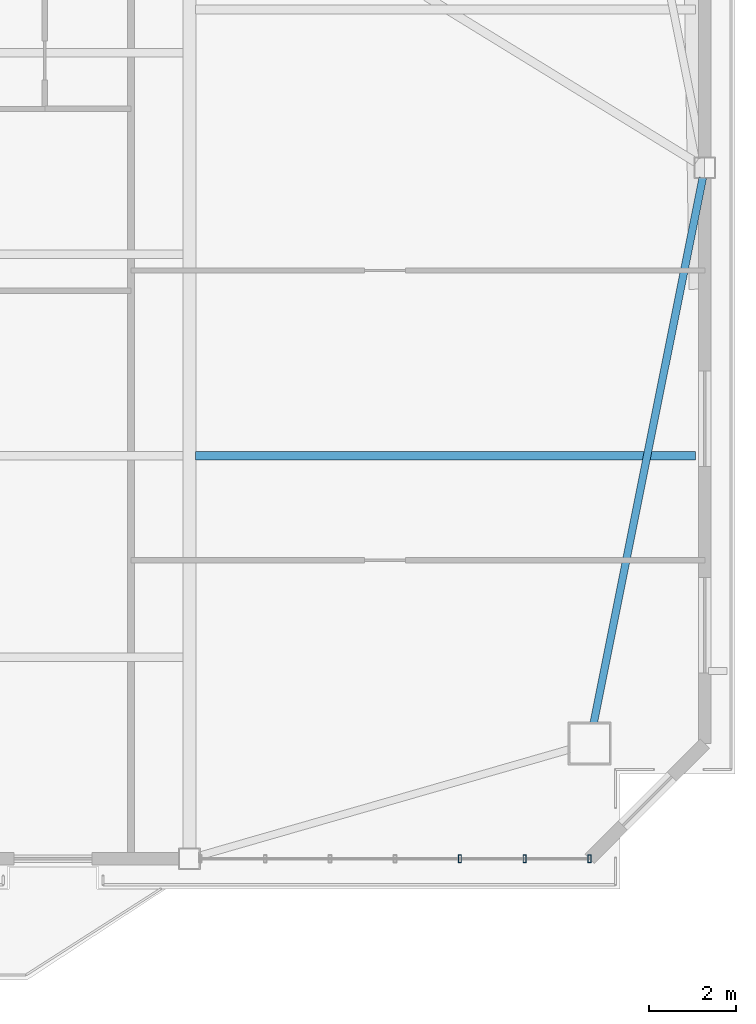
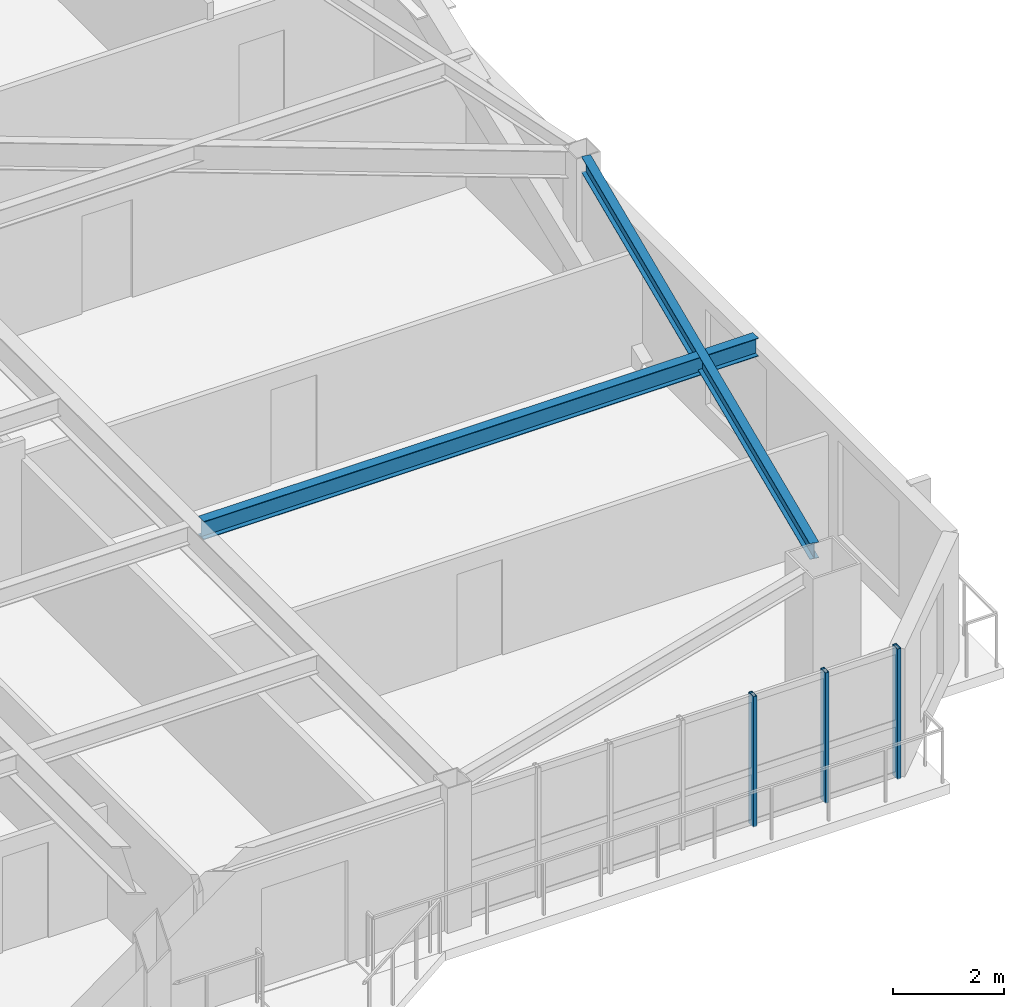
# One storey, part 6 of 19: 3 members, 2 beams, 1 element without a shape of its own.
"""IFC4 building model written with IfcOpenShell, lengths in metres."""

from ifc_helpers import new_model, si_unit, direction, frame, origin, origin_2d, place, context, subcontext, project, spatial, hollow_rectangle, i_section, extrude, source, transform, mapped, material, layer, layer_set, material_profile, profile_set, type_object, element, aggregate, save


model = new_model("IFC4")

# Units and contexts
model_context = context("Model", 3, precision=1e-05, world=origin(), true_north=direction((0.0, 1.0)))
body_context = subcontext(model_context, "Body", "Model", "MODEL_VIEW")
ifc_project = project(units=[si_unit("LENGTHUNIT", "METRE"), si_unit("AREAUNIT", "SQUARE_METRE"), si_unit("VOLUMEUNIT", "CUBIC_METRE"), si_unit("PLANEANGLEUNIT", "RADIAN"), si_unit("MASSUNIT", "GRAM", prefix="KILO")], contexts=[model_context])

# Site, building, storey
site_placement = place(None, origin())
site = spatial("IfcSite", under=ifc_project, at=site_placement, CompositionType="ELEMENT")
building_placement = place(site_placement, origin())
building = spatial("IfcBuilding", under=site, at=building_placement, Name="Giltprow Tower", CompositionType="ELEMENT")
storey_placement = place(building_placement, frame((0.0, 0.0, 241.699951171875)))
storey = spatial("IfcBuildingStorey", under=building, at=storey_placement, Name="L61", CompositionType="ELEMENT", Elevation=241.699951171875)

# Beams
ifc_material_1 = material(Name="Structural steel Q355B", Category="steel")
ifc_material_profile_1 = material_profile(ifc_material_1, i_section(OverallWidth=0.199951171875, OverallDepth=0.39990234375, WebThickness=0.008056640625, FlangeThickness=0.012939453125, at=origin_2d()), Name="HN 400x200x8x13")
ifc_profile_set_1 = profile_set([ifc_material_profile_1], Name="Structural steel Q355B")
beam_type_1 = type_object("IfcBeamType", Name="BM-JOIST-HN400", PredefinedType="JOIST", material=ifc_profile_set_1)
shared_shape_1 = source(origin(), body_context, "Body", "SweptSolid", [
    extrude(i_section(OverallWidth=0.199951171875, OverallDepth=0.39990234375, WebThickness=0.008056640625, FlangeThickness=0.012939453125, at=origin_2d()), origin(), (0.0, 0.0, 1.0), 11.536865234375),
])
beam_1_placement = place(storey_placement, frame((50.695068359375, 23.491943359375, 2.985107421875), z_axis=(1.0, 0.0, 0.0), x_axis=(0.0, 1.0, 0.0)))
element("IfcBeam", 1, at=beam_1_placement, inside=storey, type_object=beam_type_1, Name="L61 East Wing Floor Joist 1", PredefinedType="JOIST", context=body_context, shape_type="MappedRepresentation", body=[
    mapped(shared_shape_1, transform((0.0, 0.0, 0.0), x_axis=(1.0, 0.0, 0.0), y_axis=(0.0, 1.0, 0.0), z_axis=(0.0, 0.0, 1.0), scale=1.0)),
])
ifc_material_profile_2 = material_profile(ifc_material_1, i_section(OverallWidth=0.175048828125, OverallDepth=0.35009765625, WebThickness=0.007080078125, FlangeThickness=0.010986328125, at=origin_2d()), Name="HN 350x175x7x11")
ifc_profile_set_2 = profile_set([ifc_material_profile_2], Name="Structural steel Q355B")
beam_type_2 = type_object("IfcBeamType", Name="BM-SPAN-HN350", PredefinedType="SPANDREL", material=ifc_profile_set_2)
shared_shape_2 = source(origin(), body_context, "Body", "SweptSolid", [
    extrude(i_section(OverallWidth=0.175048828125, OverallDepth=0.35009765625, WebThickness=0.007080078125, FlangeThickness=0.010986328125, at=origin_2d()), origin(), (0.0, 0.0, 1.0), 12.841552734375),
])
beam_2_placement = place(storey_placement, frame((59.885986328125, 17.319091796875, 3.010009765625), z_axis=(0.196240441892, 0.980555806146, 0.0), x_axis=(-0.980555806146, 0.196240441892, 0.0)))
element("IfcBeam", 2, at=beam_2_placement, inside=storey, type_object=beam_type_2, Name="L61 Perimeter Spandrel Beam MC_SE-E_MID", PredefinedType="SPANDREL", context=body_context, shape_type="MappedRepresentation", body=[
    mapped(shared_shape_2, transform((0.0, 0.0, 0.0), x_axis=(1.0, 0.0, 0.0), y_axis=(0.0, 1.0, 0.0), z_axis=(0.0, 0.0, 1.0), scale=1.0)),
])

# Curtain wall, members
ifc_material_2 = material(Name="Anodized bronze", Category="metal")
ifc_layer = layer(ifc_material_2, 0.179931640625, Name="Anodized bronze")
ifc_layer_set = layer_set([ifc_layer], Name="Anodized bronze")
curtain_wall_type = type_object("IfcCurtainWallType", Name="CW-RES-SKY", PredefinedType="NOTDEFINED", material=ifc_layer_set)
curtain_wall_placement = place(storey_placement, origin())
curtain_wall = element("IfcCurtainWall", 3, at=curtain_wall_placement, inside=storey, type_object=curtain_wall_type, Name="L61 South Recessed Curtain Wall 6", PredefinedType="NOTDEFINED")
ifc_material_profile_3 = material_profile(ifc_material_2, hollow_rectangle(XDim=0.074951171875, YDim=0.179931640625, WallThickness=0.008056640625, at=origin_2d()), Name="RHS 180x75x8")
ifc_profile_set_3 = profile_set([ifc_material_profile_3], Name="Anodized bronze")
member_type = type_object("IfcMemberType", Name="CW-MULLION-180x75", PredefinedType="MULLION", material=ifc_profile_set_3)
shared_shape_3 = source(origin(), body_context, "Body", "SweptSolid", [
    extrude(hollow_rectangle(XDim=0.074951171875, YDim=0.179931640625, WallThickness=0.008056640625, at=origin_2d()), origin(), (0.0, 0.0, 1.0), 2.8701171875),
])
member_1_placement = place(storey_placement, frame((56.7939453125, 14.181884765625, -0.02001953125), z_axis=(0.0, 0.0, 1.0), x_axis=(1.0, 0.0, 0.0)))
member_1 = element("IfcMember", 4, at=member_1_placement, type_object=member_type, Name="L61 South Recessed Curtain Wall 6 Mullion 5", PredefinedType="MULLION", context=body_context, shape_type="MappedRepresentation", body=[
    mapped(shared_shape_3, transform((0.0, 0.0, 0.0), x_axis=(1.0, 0.0, 0.0), y_axis=(0.0, 1.0, 0.0), z_axis=(0.0, 0.0, 1.0), scale=1.0)),
])
member_2_placement = place(storey_placement, frame((58.2919921875, 14.181884765625, -0.02001953125), z_axis=(0.0, 0.0, 1.0), x_axis=(1.0, 0.0, 0.0)))
member_2 = element("IfcMember", 5, at=member_2_placement, type_object=member_type, Name="L61 South Recessed Curtain Wall 6 Mullion 6", PredefinedType="MULLION", context=body_context, shape_type="MappedRepresentation", body=[
    mapped(shared_shape_3, transform((0.0, 0.0, 0.0), x_axis=(1.0, 0.0, 0.0), y_axis=(0.0, 1.0, 0.0), z_axis=(0.0, 0.0, 1.0), scale=1.0)),
])
member_3_placement = place(storey_placement, frame((59.791015625, 14.181884765625, -0.02001953125), z_axis=(0.0, 0.0, 1.0), x_axis=(1.0, 0.0, 0.0)))
member_3 = element("IfcMember", 6, at=member_3_placement, type_object=member_type, Name="L61 South Recessed Curtain Wall 6 Mullion 7", PredefinedType="MULLION", context=body_context, shape_type="MappedRepresentation", body=[
    mapped(shared_shape_3, transform((0.0, 0.0, 0.0), x_axis=(1.0, 0.0, 0.0), y_axis=(0.0, 1.0, 0.0), z_axis=(0.0, 0.0, 1.0), scale=1.0)),
])
aggregate(curtain_wall, [member_1, member_2, member_3])

save(model, "model.ifc")
